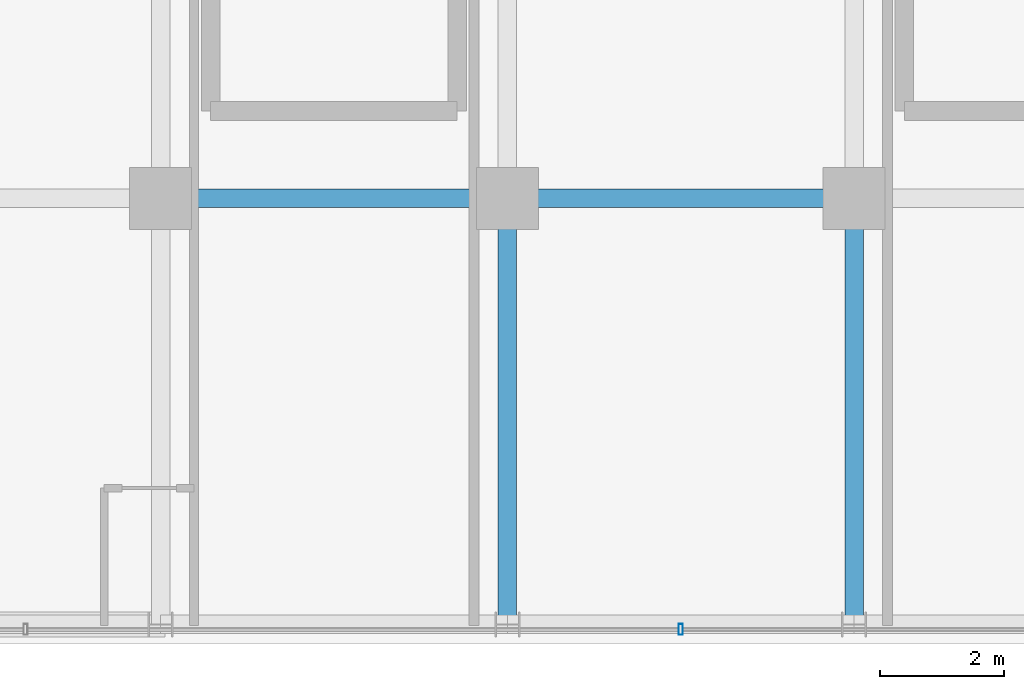
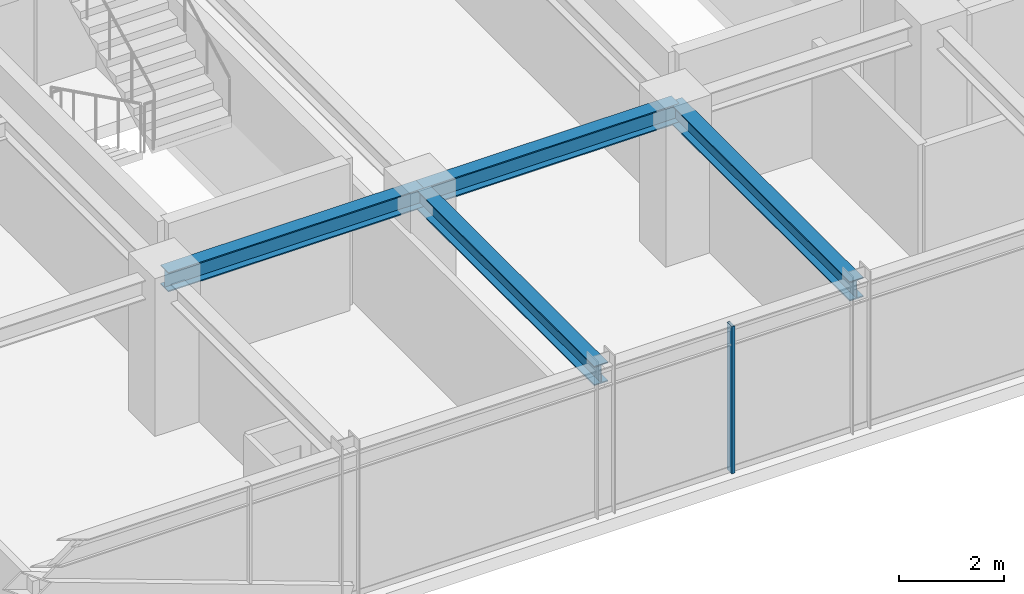
# One storey, part 8 of 36: 4 beams, 1 member, 1 element without a shape of its own.
"""IFC4 building model written with IfcOpenShell, lengths in metres."""

from ifc_helpers import new_model, si_unit, direction, frame, origin, origin_2d, place, context, subcontext, project, spatial, hollow_rectangle, i_section, extrude, source, transform, mapped, material, material_profile, profile_set, type_object, element, aggregate, save


model = new_model("IFC4")

# Units and contexts
model_context = context("Model", 3, precision=1e-05, world=origin(), true_north=direction((0.0, 1.0)))
body_context = subcontext(model_context, "Body", "Model", "MODEL_VIEW")
ifc_project = project(units=[si_unit("LENGTHUNIT", "METRE"), si_unit("AREAUNIT", "SQUARE_METRE"), si_unit("VOLUMEUNIT", "CUBIC_METRE"), si_unit("PLANEANGLEUNIT", "RADIAN"), si_unit("MASSUNIT", "GRAM", prefix="KILO")], contexts=[model_context])

# Site, building, storey
site_placement = place(None, origin())
site = spatial("IfcSite", under=ifc_project, at=site_placement, CompositionType="ELEMENT")
building_placement = place(site_placement, origin())
building = spatial("IfcBuilding", under=site, at=building_placement, Name="Nahalor Promenade Grand Hotel", CompositionType="ELEMENT")
storey_placement = place(building_placement, frame((0.0, 0.0, 234.5)))
storey = spatial("IfcBuildingStorey", under=building, at=storey_placement, Name="L60", CompositionType="ELEMENT", Elevation=234.5)

# Beams
ifc_material_1 = material(Name="Steel S355JR", Category="steel")
ifc_material_profile_1 = material_profile(ifc_material_1, i_section(OverallWidth=0.3, OverallDepth=0.45, WebThickness=0.014, FlangeThickness=0.026, at=origin_2d()), Name="HEB 450")
ifc_profile_set_1 = profile_set([ifc_material_profile_1], Name="Steel S355JR")
beam_type = type_object("IfcBeamType", Name="Beam-Girder-HEB450", PredefinedType="BEAM", material=ifc_profile_set_1)
shared_shape_1 = source(origin(), body_context, "Body", "SweptSolid", [
    extrude(i_section(OverallWidth=0.3, OverallDepth=0.45, WebThickness=0.014, FlangeThickness=0.026, at=origin_2d()), origin(), (0.0, 0.0, 1.0), 6.8798828125),
])
for number, where, z_axis, x_axis, name in (
    (1, (-2.800048828125, -23.8798828125, 3.18505859375), (0.0, 1.0, 0.0), (-1.0, 0.0, 0.0), "BM-L60-GY-2-0"),
    (2, (2.800048828125, -23.8798828125, 3.18505859375), (0.0, 1.0, 0.0), (-1.0, 0.0, 0.0), "BM-L60-GY-3-0"),
):
    element("IfcBeam", number, at=place(storey_placement, frame(where, z_axis=z_axis, x_axis=x_axis)), inside=storey, type_object=beam_type, Name=name, PredefinedType="BEAM", context=body_context, shape_type="MappedRepresentation", body=[
        mapped(shared_shape_1, transform((0.0, 0.0, 0.0), scale=1.0)),
    ])
shared_shape_2 = source(origin(), body_context, "Body", "SweptSolid", [
    extrude(i_section(OverallWidth=0.3, OverallDepth=0.45, WebThickness=0.014, FlangeThickness=0.026, at=origin_2d()), origin(), (0.0, 0.0, 1.0), 5.599853515625),
])
beam_1_placement = place(storey_placement, frame((-8.39990234375, -17.0, 3.18505859375), z_axis=(1.0, 0.0, 0.0), x_axis=(0.0, 1.0, 0.0)))
element("IfcBeam", 3, at=beam_1_placement, inside=storey, type_object=beam_type, Name="BM-L60-GX-0-2", PredefinedType="BEAM", context=body_context, shape_type="MappedRepresentation", body=[
    mapped(shared_shape_2, transform((0.0, 0.0, 0.0), scale=1.0)),
])
shared_shape_3 = source(origin(), body_context, "Body", "SweptSolid", [
    extrude(i_section(OverallWidth=0.3, OverallDepth=0.45, WebThickness=0.014, FlangeThickness=0.026, at=origin_2d()), origin(), (0.0, 0.0, 1.0), 5.60009765625),
])
beam_2_placement = place(storey_placement, frame((-2.800048828125, -17.0, 3.18505859375), z_axis=(1.0, 0.0, 0.0), x_axis=(0.0, 1.0, 0.0)))
element("IfcBeam", 4, at=beam_2_placement, inside=storey, type_object=beam_type, Name="BM-L60-GX-0-3", PredefinedType="BEAM", context=body_context, shape_type="MappedRepresentation", body=[
    mapped(shared_shape_3, transform((0.0, 0.0, 0.0), scale=1.0)),
])

# Curtain wall, member
ifc_material_2 = material(Name="Anodised Bronze Aluminium EN AW-6063 T6", Category="aluminium")
curtain_wall_type = type_object("IfcCurtainWallType", Name="CW2 Typical Hotel Flush Bronze Unitised Curtain Wall", PredefinedType="USERDEFINED", material=ifc_material_2)
curtain_wall_placement = place(storey_placement, origin())
curtain_wall = element("IfcCurtainWall", 5, at=curtain_wall_placement, inside=storey, type_object=curtain_wall_type, Name="L60 Curtain Wall CW-L60-S-1", ObjectType="UNITISED_CURTAIN_WALL", PredefinedType="USERDEFINED")
ifc_material_profile_2 = material_profile(ifc_material_2, hollow_rectangle(XDim=0.065, YDim=0.18, WallThickness=0.004, at=origin_2d()), Name="CWM 65x180x4")
ifc_profile_set_2 = profile_set([ifc_material_profile_2], Name="Anodised Bronze Aluminium EN AW-6063 T6")
member_type = type_object("IfcMemberType", Name="CWM2 Typical Bronze Mullion 65x180", PredefinedType="MULLION", material=ifc_profile_set_2)
shared_shape_4 = source(origin(), body_context, "Body", "SweptSolid", [
    extrude(hollow_rectangle(XDim=0.065, YDim=0.18, WallThickness=0.004, at=origin_2d()), origin(), (0.0, 0.0, 1.0), 3.409912109375),
])
member_placement = place(storey_placement, frame((0.0, -23.9599609375, 0.0), z_axis=(0.0, 0.0, 1.0), x_axis=(1.0, 0.0, 0.0)))
member = element("IfcMember", 6, at=member_placement, type_object=member_type, Name="CW-L60-S-1 Mullion 2", PredefinedType="MULLION", context=body_context, shape_type="MappedRepresentation", body=[
    mapped(shared_shape_4, transform((0.0, 0.0, 0.0), scale=1.0)),
])
aggregate(curtain_wall, [member])

save(model, "model.ifc")
